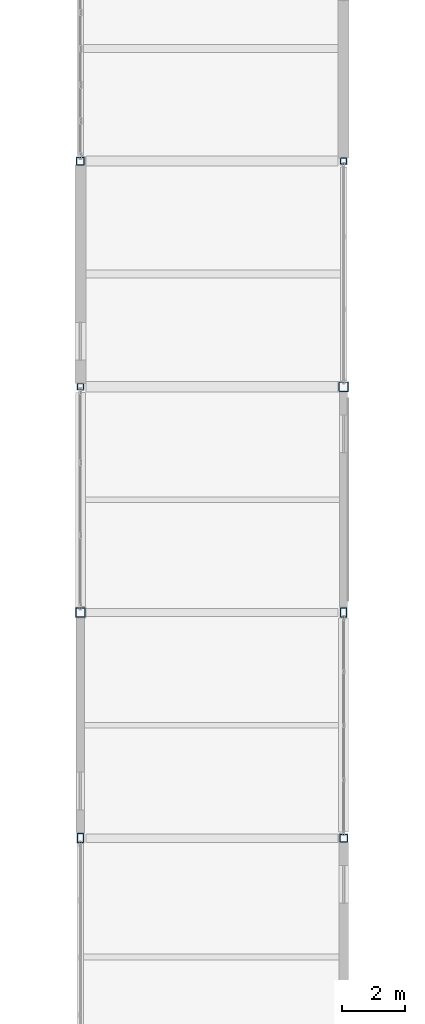
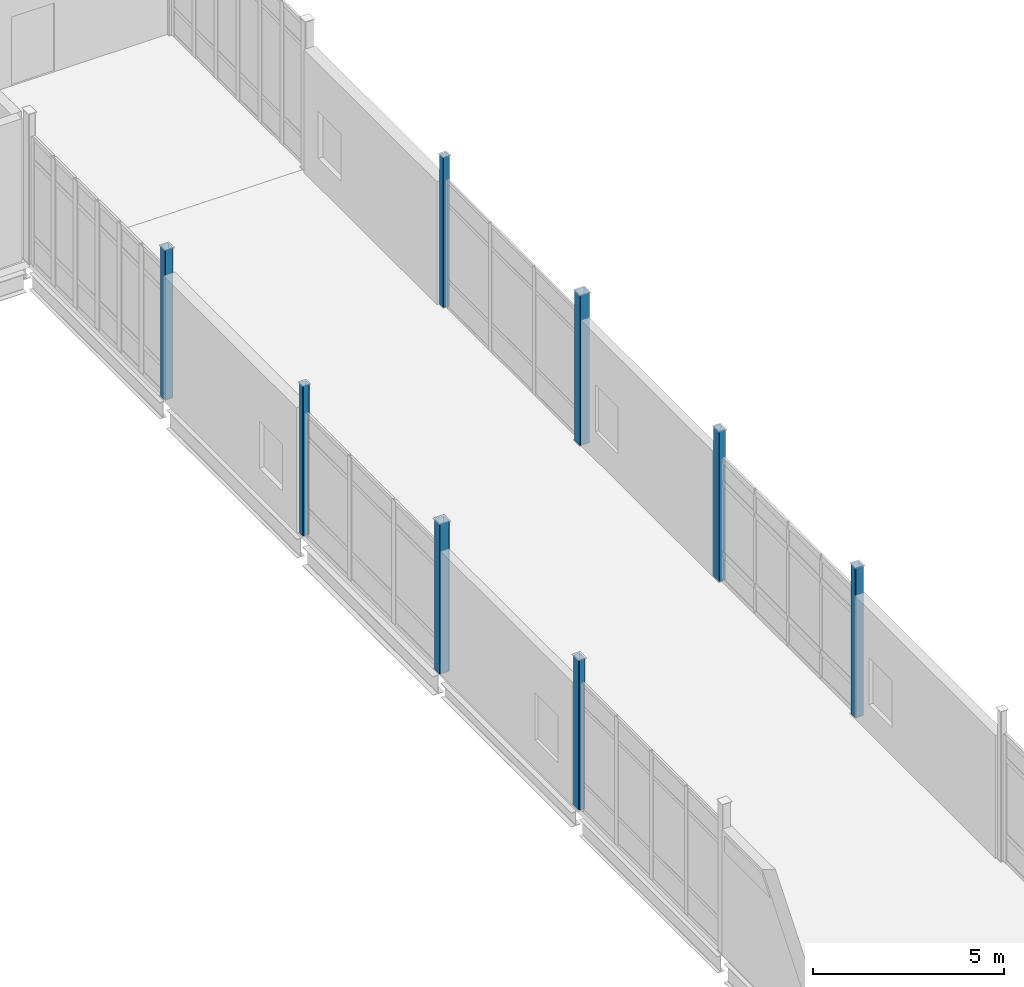
# One storey, part 9 of 153: 8 columns.
"""IFC4 building model written with IfcOpenShell, lengths in metres."""

from ifc_helpers import new_model, si_unit, direction, frame, origin, origin_2d, place, context, subcontext, project, spatial, hollow_rectangle, extrude, material, material_profile, profile_set, type_object, element, save


model = new_model("IFC4")

# Units and contexts
model_context = context("Model", 3, precision=1e-05, world=origin(), true_north=direction((0.0, 1.0)))
body_context = subcontext(model_context, "Body", "Model", "MODEL_VIEW")
ifc_project = project(units=[si_unit("LENGTHUNIT", "METRE"), si_unit("AREAUNIT", "SQUARE_METRE"), si_unit("VOLUMEUNIT", "CUBIC_METRE"), si_unit("PLANEANGLEUNIT", "RADIAN"), si_unit("MASSUNIT", "GRAM", prefix="KILO")], contexts=[model_context])

# Site, building, storey
site_placement = place(None, origin())
site = spatial("IfcSite", under=ifc_project, at=site_placement, CompositionType="ELEMENT")
building_placement = place(site_placement, origin())
building = spatial("IfcBuilding", under=site, at=building_placement, Name="Calvrana Isthmian Art Gallery", CompositionType="ELEMENT")
storey_placement = place(building_placement, frame((0.0, 0.0, 10.199951171875)))
storey = spatial("IfcBuildingStorey", under=building, at=storey_placement, Name="L02", CompositionType="ELEMENT", Elevation=10.199951171875)

# Columns
ifc_material = material(Name="Steel ASTM A500 Gr C", Category="steel")
ifc_material_profile_1 = material_profile(ifc_material, hollow_rectangle(XDim=0.203125, YDim=0.203125, WallThickness=0.0126953125, OuterFilletRadius=0.02490234375, at=origin_2d()), Name="HSS203X203X12.7")
ifc_profile_set_1 = profile_set([ifc_material_profile_1], Name="Steel ASTM A500 Gr C")
column_type_1 = type_object("IfcColumnType", Name="COL-STL-HSS203X203X12.7", PredefinedType="COLUMN", material=ifc_profile_set_1)
for number, where, z_axis, x_axis, name in (
    (1, (55.199951171875, 84.0, 0.0), (0.0, 0.0, 1.0), (1.0, 0.0, 0.0), "Column 08/L L02"),
    (2, (63.60009765625, 91.199951171875, 0.0), (0.0, 0.0, 1.0), (1.0, 0.0, 0.0), "Column 09/M L02"),
):
    element("IfcColumn", number, at=place(storey_placement, frame(where, z_axis=z_axis, x_axis=x_axis)), inside=storey, type_object=column_type_1, Name=name, PredefinedType="COLUMN", context=body_context, shape_type="SweptSolid", body=[
        extrude(hollow_rectangle(XDim=0.203125, YDim=0.203125, WallThickness=0.0126953125, OuterFilletRadius=0.02490234375, at=origin_2d()), origin(), (0.0, 0.0, 1.0), 4.800048828125),
    ])
ifc_material_profile_2 = material_profile(ifc_material, hollow_rectangle(XDim=0.25390625, YDim=0.25390625, WallThickness=0.0126953125, OuterFilletRadius=0.02490234375, at=origin_2d()), Name="HSS254X254X12.7")
ifc_profile_set_2 = profile_set([ifc_material_profile_2], Name="Steel ASTM A500 Gr C")
column_type_2 = type_object("IfcColumnType", Name="COL-STL-HSS254X254X12.7", PredefinedType="COLUMN", material=ifc_profile_set_2)
for number, where, z_axis, x_axis, name in (
    (3, (55.199951171875, 91.199951171875, 0.0), (0.0, 0.0, 1.0), (1.0, 0.0, 0.0), "Column 08/M L02"),
    (4, (63.60009765625, 69.60009765625, 0.0), (0.0, 0.0, 1.0), (1.0, 0.0, 0.0), "Column 09/J L02"),
):
    element("IfcColumn", number, at=place(storey_placement, frame(where, z_axis=z_axis, x_axis=x_axis)), inside=storey, type_object=column_type_2, Name=name, PredefinedType="COLUMN", context=body_context, shape_type="SweptSolid", body=[
        extrude(hollow_rectangle(XDim=0.25390625, YDim=0.25390625, WallThickness=0.0126953125, OuterFilletRadius=0.02490234375, at=origin_2d()), origin(), (0.0, 0.0, 1.0), 4.800048828125),
    ])
ifc_material_profile_3 = material_profile(ifc_material, hollow_rectangle(XDim=0.203125, YDim=0.3046875, WallThickness=0.0126953125, OuterFilletRadius=0.02490234375, at=origin_2d()), Name="HSS305X203X12.7")
ifc_profile_set_3 = profile_set([ifc_material_profile_3], Name="Steel ASTM A500 Gr C")
column_type_3 = type_object("IfcColumnType", Name="COL-STL-HSS305X203X12.7", PredefinedType="COLUMN", material=ifc_profile_set_3)
for number, where, z_axis, x_axis, name in (
    (5, (55.199951171875, 69.60009765625, 0.0), (0.0, 0.0, 1.0), (1.0, 0.0, 0.0), "Column 08/J L02"),
    (6, (63.60009765625, 76.800048828125, 0.0), (0.0, 0.0, 1.0), (1.0, 0.0, 0.0), "Column 09/K L02"),
):
    element("IfcColumn", number, at=place(storey_placement, frame(where, z_axis=z_axis, x_axis=x_axis)), inside=storey, type_object=column_type_3, Name=name, PredefinedType="COLUMN", context=body_context, shape_type="SweptSolid", body=[
        extrude(hollow_rectangle(XDim=0.203125, YDim=0.3046875, WallThickness=0.0126953125, OuterFilletRadius=0.02490234375, at=origin_2d()), origin(), (0.0, 0.0, 1.0), 4.800048828125),
    ])
ifc_material_profile_4 = material_profile(ifc_material, hollow_rectangle(XDim=0.3046875, YDim=0.3046875, WallThickness=0.015869140625, OuterFilletRadius=0.031982421875, at=origin_2d()), Name="HSS305X305X15.9")
ifc_profile_set_4 = profile_set([ifc_material_profile_4], Name="Steel ASTM A500 Gr C")
column_type_4 = type_object("IfcColumnType", Name="COL-STL-HSS305X305X15.9", PredefinedType="COLUMN", material=ifc_profile_set_4)
for number, where, z_axis, x_axis, name in (
    (7, (55.199951171875, 76.800048828125, 0.0), (0.0, 0.0, 1.0), (1.0, 0.0, 0.0), "Column 08/K L02"),
    (8, (63.60009765625, 84.0, 0.0), (0.0, 0.0, 1.0), (1.0, 0.0, 0.0), "Column 09/L L02"),
):
    element("IfcColumn", number, at=place(storey_placement, frame(where, z_axis=z_axis, x_axis=x_axis)), inside=storey, type_object=column_type_4, Name=name, PredefinedType="COLUMN", context=body_context, shape_type="SweptSolid", body=[
        extrude(hollow_rectangle(XDim=0.3046875, YDim=0.3046875, WallThickness=0.015869140625, OuterFilletRadius=0.031982421875, at=origin_2d()), origin(), (0.0, 0.0, 1.0), 4.800048828125),
    ])

save(model, "model.ifc")
